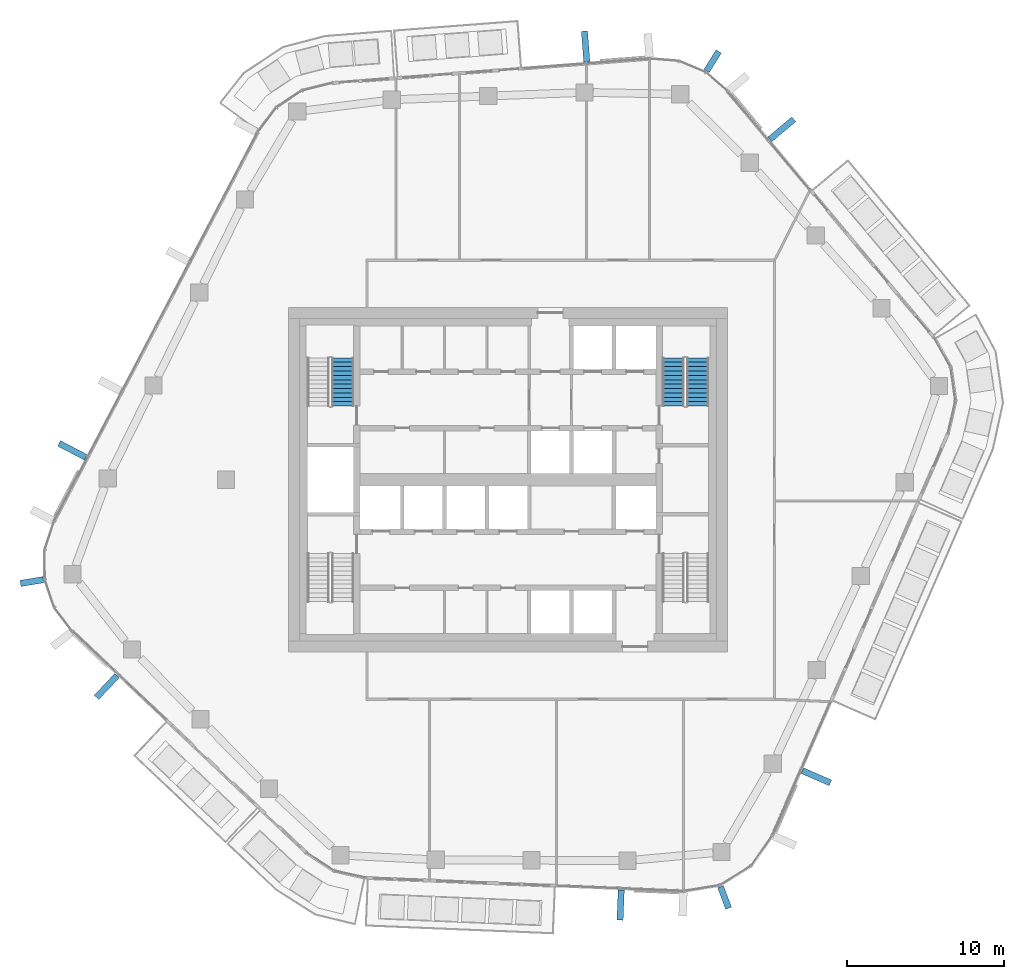
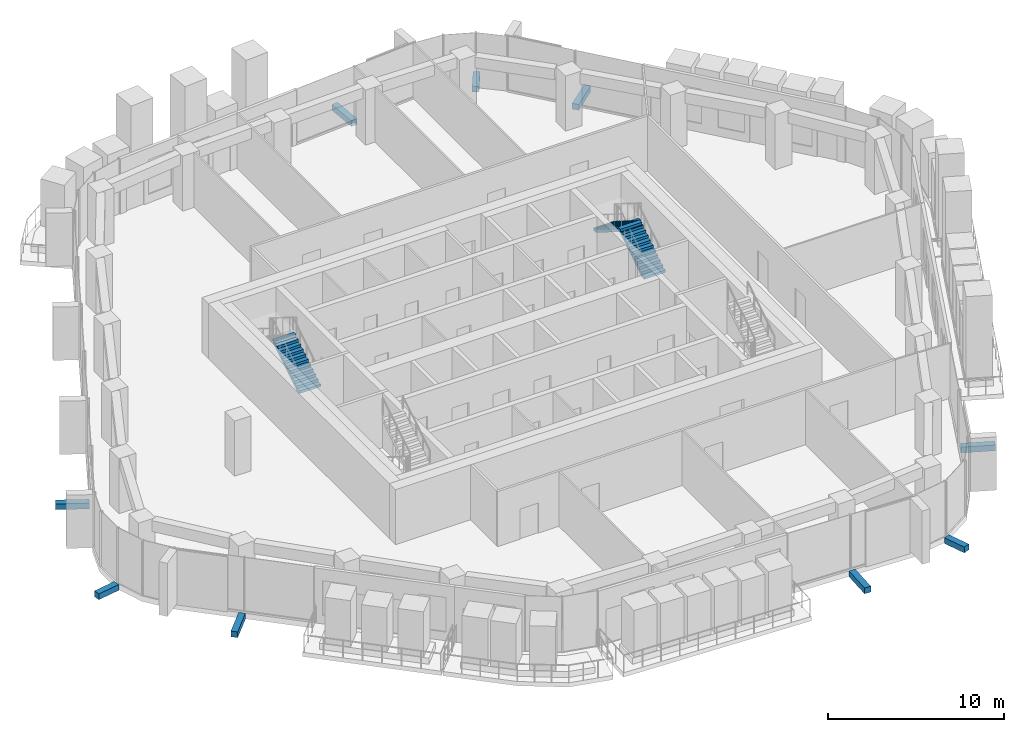
# One storey, part 14 of 20: 9 discrete accessories, 3 stair flights, 2 elements without a shape of their own.
"""IFC4 building model written with IfcOpenShell, lengths in metres."""

from ifc_helpers import new_model, si_unit, direction, frame, origin, origin_2d, place, context, subcontext, project, spatial, polyline, rectangle, outline, extrude, material, layer, layer_set, type_object, element, aggregate, save


model = new_model("IFC4")

# Units and contexts
model_context = context("Model", 3, precision=1e-05, world=origin(), true_north=direction((0.0, 1.0)))
body_context = subcontext(model_context, "Body", "Model", "MODEL_VIEW")
ifc_project = project(units=[si_unit("LENGTHUNIT", "METRE"), si_unit("AREAUNIT", "SQUARE_METRE"), si_unit("VOLUMEUNIT", "CUBIC_METRE"), si_unit("PLANEANGLEUNIT", "RADIAN"), si_unit("MASSUNIT", "GRAM", prefix="KILO")], contexts=[model_context])

# Site, building, storey
site_placement = place(None, origin())
site = spatial("IfcSite", under=ifc_project, at=site_placement, CompositionType="ELEMENT")
building_placement = place(site_placement, origin())
building = spatial("IfcBuilding", under=site, at=building_placement, Name="Dongbaek Canopy Tower", CompositionType="ELEMENT")
storey_placement = place(building_placement, frame((0.0, 0.0, 249.60009765625)))
storey = spatial("IfcBuildingStorey", under=building, at=storey_placement, Name="L52", CompositionType="ELEMENT", Elevation=249.60009765625)

# Stair, stair flights
ifc_material_1 = material(Name="Concrete C40/50", Category="concrete")
stair_type = type_object("IfcStairType", Name="Core exit stair", PredefinedType="HALF_TURN_STAIR", material=ifc_material_1)
stair_1_placement = place(storey_placement, origin())
stair_1 = element("IfcStair", 1, at=stair_1_placement, inside=storey, type_object=stair_type, Name="L52 exit stair A", PredefinedType="HALF_TURN_STAIR")
ifc_material_2 = material(Name="Concrete C40/50", Category="concrete")
ifc_layer = layer(ifc_material_2, 0.14990234375)
ifc_layer_set = layer_set([ifc_layer], Name="Core stair flight 150 waist")
stair_flight_type = type_object("IfcStairFlightType", Name="Core stair flight 150 waist", PredefinedType="STRAIGHT", material=ifc_layer_set)
stair_flight_1_placement = place(storey_placement, frame((12.10009765625, 4.699951171875, 0.0), z_axis=(0.0, 0.0, 1.0), x_axis=(0.0, 1.0, 0.0)))
stair_flight_1 = element("IfcStairFlight", 2, at=stair_flight_1_placement, type_object=stair_flight_type, Name="ST-A flight 1", NumberOfRisers=12, NumberOfTreads=11, PredefinedType="STRAIGHT", RiserHeight=0.175, TreadLength=0.28, context=body_context, shape_type="SweptSolid", body=[
    extrude(outline(polyline([(0.0, 0.0), (0.0, 0.175048828125), (0.280029296875, 0.175048828125), (0.280029296875, 0.35009765625), (0.56005859375, 0.35009765625), (0.56005859375, 0.52490234375), (0.840087890625, 0.52490234375), (0.840087890625, 0.699951171875), (1.1201171875, 0.699951171875), (1.1201171875, 0.875), (1.39990234375, 0.875), (1.39990234375, 1.050048828125), (1.679931640625, 1.050048828125), (1.679931640625, 1.22509765625), (1.9599609375, 1.22509765625), (1.9599609375, 1.39990234375), (2.239990234375, 1.39990234375), (2.239990234375, 1.574951171875), (2.52001953125, 1.574951171875), (2.52001953125, 1.75), (2.800048828125, 1.75), (2.800048828125, 1.925048828125), (3.080078125, 1.925048828125), (3.080078125, 2.10009765625), (3.080078125, 1.748291015625), (0.28271484375, 0.0), (0.0, 0.0)])), frame((0.0, 0.699951171875, 0.0), z_axis=(0.0, -1.0, 0.0), x_axis=(1.0, 0.0, 0.0)), (0.0, 0.0, 1.0), 1.39990234375),
])
stair_flight_2_placement = place(storey_placement, frame((10.550048828125, 7.780029296875, 2.099853515625), z_axis=(0.0, 0.0, 1.0), x_axis=(0.0, -1.0, 0.0)))
stair_flight_2 = element("IfcStairFlight", 3, at=stair_flight_2_placement, type_object=stair_flight_type, Name="ST-A flight 2", NumberOfRisers=12, NumberOfTreads=11, PredefinedType="STRAIGHT", RiserHeight=0.175, TreadLength=0.28, context=body_context, shape_type="SweptSolid", body=[
    extrude(outline(polyline([(0.0, 0.0), (0.0, 0.175048828125), (0.280029296875, 0.175048828125), (0.280029296875, 0.35009765625), (0.56005859375, 0.35009765625), (0.56005859375, 0.52490234375), (0.840087890625, 0.52490234375), (0.840087890625, 0.699951171875), (1.1201171875, 0.699951171875), (1.1201171875, 0.875), (1.39990234375, 0.875), (1.39990234375, 1.050048828125), (1.679931640625, 1.050048828125), (1.679931640625, 1.22509765625), (1.9599609375, 1.22509765625), (1.9599609375, 1.39990234375), (2.239990234375, 1.39990234375), (2.239990234375, 1.574951171875), (2.52001953125, 1.574951171875), (2.52001953125, 1.75), (2.800048828125, 1.75), (2.800048828125, 1.925048828125), (3.080078125, 1.925048828125), (3.080078125, 2.10009765625), (3.080078125, 1.748291015625), (0.28271484375, 0.0), (0.0, 0.0)])), frame((0.0, 0.699951171875, 0.0), z_axis=(0.0, -1.0, 0.0), x_axis=(1.0, 0.0, 0.0)), (0.0, 0.0, 1.0), 1.39990234375),
])
aggregate(stair_1, [stair_flight_1, stair_flight_2])

# Stair, stair flight
stair_2_placement = place(storey_placement, origin())
stair_2 = element("IfcStair", 4, at=stair_2_placement, inside=storey, type_object=stair_type, Name="L52 exit stair C", PredefinedType="HALF_TURN_STAIR")
stair_flight_3_placement = place(storey_placement, frame((-10.550048828125, 4.699951171875, 0.0), z_axis=(0.0, 0.0, 1.0), x_axis=(0.0, 1.0, 0.0)))
stair_flight_3 = element("IfcStairFlight", 5, at=stair_flight_3_placement, type_object=stair_flight_type, Name="ST-C flight 1", NumberOfRisers=12, NumberOfTreads=11, PredefinedType="STRAIGHT", RiserHeight=0.175, TreadLength=0.28, context=body_context, shape_type="SweptSolid", body=[
    extrude(outline(polyline([(0.0, 0.0), (0.0, 0.175048828125), (0.280029296875, 0.175048828125), (0.280029296875, 0.35009765625), (0.56005859375, 0.35009765625), (0.56005859375, 0.52490234375), (0.840087890625, 0.52490234375), (0.840087890625, 0.699951171875), (1.1201171875, 0.699951171875), (1.1201171875, 0.875), (1.39990234375, 0.875), (1.39990234375, 1.050048828125), (1.679931640625, 1.050048828125), (1.679931640625, 1.22509765625), (1.9599609375, 1.22509765625), (1.9599609375, 1.39990234375), (2.239990234375, 1.39990234375), (2.239990234375, 1.574951171875), (2.52001953125, 1.574951171875), (2.52001953125, 1.75), (2.800048828125, 1.75), (2.800048828125, 1.925048828125), (3.080078125, 1.925048828125), (3.080078125, 2.10009765625), (3.080078125, 1.748291015625), (0.28271484375, 0.0), (0.0, 0.0)])), frame((0.0, 0.699951171875, 0.0), z_axis=(0.0, -1.0, 0.0), x_axis=(1.0, 0.0, 0.0)), (0.0, 0.0, 1.0), 1.39990234375),
])
aggregate(stair_2, [stair_flight_3])

# Discrete accessories
ifc_material_3 = material(Name="Galvanised steel S355 bracket", Category="steel")
discrete_accessory_type = type_object("IfcDiscreteAccessoryType", Name="Crease fin bracket BR3 400", PredefinedType="BRACKET", material=ifc_material_3)
discrete_accessory_1_placement = place(storey_placement, frame((17.46630859375, 22.3583984375, -0.39013671875), z_axis=(0.0, 0.0, 1.0), x_axis=(0.766375294993, 0.642393109571, 0.0)))
element("IfcDiscreteAccessory", 6, at=discrete_accessory_1_placement, inside=storey, type_object=discrete_accessory_type, Name="Crease fin bracket L52 F0", PredefinedType="BRACKET", context=body_context, shape_type="SweptSolid", body=[
    extrude(rectangle(XDim=1.98486328125, YDim=0.39990234375, at=origin_2d()), origin(), (0.0, 0.0, 1.0), 0.39990234375),
])
discrete_accessory_2_placement = place(storey_placement, frame((4.94921875, 27.640869140625, -0.39013671875), z_axis=(0.0, 0.0, 1.0), x_axis=(-0.076518905269, 0.997068130639, 0.0)))
element("IfcDiscreteAccessory", 7, at=discrete_accessory_2_placement, inside=storey, type_object=discrete_accessory_type, Name="Crease fin bracket L52 F1", PredefinedType="BRACKET", context=body_context, shape_type="SweptSolid", body=[
    extrude(rectangle(XDim=1.970703125, YDim=0.39990234375, at=origin_2d()), origin(), (0.0, 0.0, 1.0), 0.39990234375),
])
discrete_accessory_3_placement = place(storey_placement, frame((-27.791748046875, 1.8779296875, -0.39013671875), z_axis=(0.0, 0.0, 1.0), x_axis=(-0.88601914733, 0.463648649911, 0.0)))
element("IfcDiscreteAccessory", 8, at=discrete_accessory_3_placement, inside=storey, type_object=discrete_accessory_type, Name="Crease fin bracket L52 F2", PredefinedType="BRACKET", context=body_context, shape_type="SweptSolid", body=[
    extrude(rectangle(XDim=1.921630859375, YDim=0.39990234375, at=origin_2d()), origin(), (0.0, 0.0, 1.0), 0.39990234375),
])
discrete_accessory_4_placement = place(storey_placement, frame((-25.603271484375, -13.189697265625, -0.39013671875), z_axis=(0.0, 0.0, 1.0), x_axis=(-0.687304327357, -0.726369576453, 0.0)))
element("IfcDiscreteAccessory", 9, at=discrete_accessory_4_placement, inside=storey, type_object=discrete_accessory_type, Name="Crease fin bracket L52 F3", PredefinedType="BRACKET", context=body_context, shape_type="SweptSolid", body=[
    extrude(rectangle(XDim=1.908447265625, YDim=0.39990234375, at=origin_2d()), origin(), (0.0, 0.0, 1.0), 0.39990234375),
])
discrete_accessory_5_placement = place(storey_placement, frame((7.181884765625, -27.13232421875, -0.39013671875), z_axis=(0.0, 0.0, 1.0), x_axis=(-0.041481552066, -0.999139269991, 0.0)))
element("IfcDiscreteAccessory", 10, at=discrete_accessory_5_placement, inside=storey, type_object=discrete_accessory_type, Name="Crease fin bracket L52 F4", PredefinedType="BRACKET", context=body_context, shape_type="SweptSolid", body=[
    extrude(rectangle(XDim=1.92529296875, YDim=0.39990234375, at=origin_2d()), origin(), (0.0, 0.0, 1.0), 0.39990234375),
])
discrete_accessory_6_placement = place(storey_placement, frame((19.6689453125, -18.94580078125, -0.39013671875), z_axis=(0.0, 0.0, 1.0), x_axis=(0.916386485139, -0.400294653793, 0.0)))
element("IfcDiscreteAccessory", 11, at=discrete_accessory_6_placement, inside=storey, type_object=discrete_accessory_type, Name="Crease fin bracket L52 F5", PredefinedType="BRACKET", context=body_context, shape_type="SweptSolid", body=[
    extrude(rectangle(XDim=1.948486328125, YDim=0.39990234375, at=origin_2d()), origin(), (0.0, 0.0, 1.0), 0.39990234375),
])
for number, where, z_axis, x_axis, name in (
    (12, (13.052490234375, 26.7021484375, -0.39013671875), (0.0, 0.0, 1.0), (0.528293116951, 0.849062060501, 0.0), "Corner fin bracket L52 K1"),
    (13, (-30.378173828125, -6.492431640625, -0.39013671875), (0.0, 0.0, 1.0), (-0.986343153931, -0.16470331719, 0.0), "Corner fin bracket L52 K3"),
    (14, (13.81298828125, -26.647216796875, -0.39013671875), (0.0, 0.0, 1.0), (0.351016477142, -0.936369282268, 0.0), "Corner fin bracket L52 K5"),
):
    element("IfcDiscreteAccessory", number, at=place(storey_placement, frame(where, z_axis=z_axis, x_axis=x_axis)), inside=storey, type_object=discrete_accessory_type, Name=name, PredefinedType="BRACKET", context=body_context, shape_type="SweptSolid", body=[
        extrude(rectangle(XDim=1.469970703125, YDim=0.39990234375, at=origin_2d()), origin(), (0.0, 0.0, 1.0), 0.39990234375),
    ])

save(model, "model.ifc")
